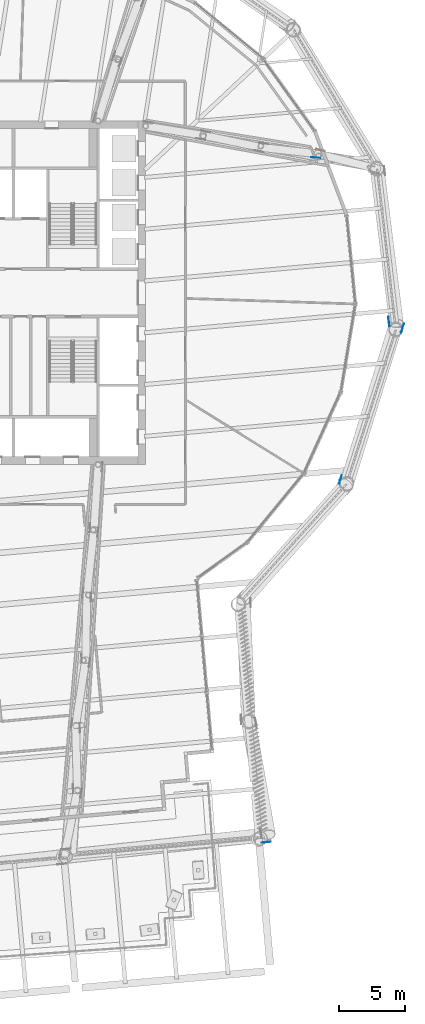
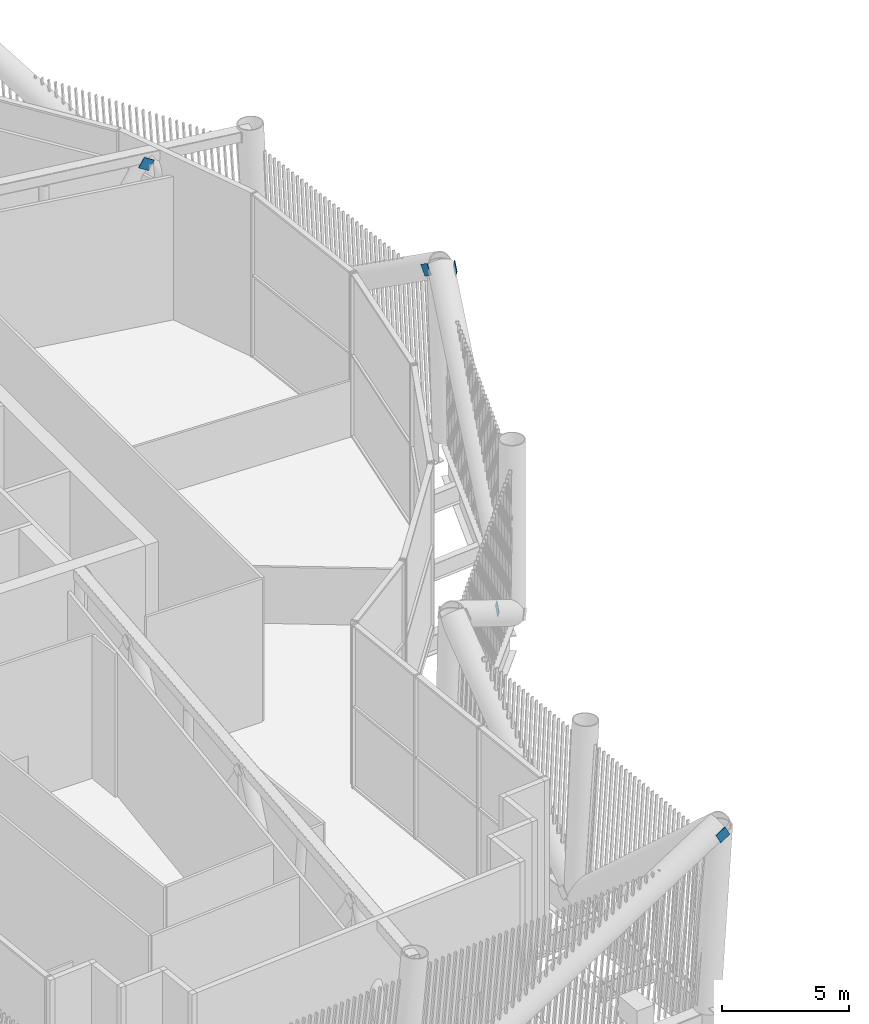
# One storey, part 40 of 55: 5 discrete accessories.
"""IFC4 building model written with IfcOpenShell, lengths in metres."""

from ifc_helpers import new_model, si_unit, direction, frame, origin, origin_2d, place, context, subcontext, project, spatial, rectangle, extrude, material, material_profile, profile_set, type_object, element, save


model = new_model("IFC4")

# Units and contexts
model_context = context("Model", 3, precision=1e-05, world=origin(), true_north=direction((0.0, 1.0)))
body_context = subcontext(model_context, "Body", "Model", "MODEL_VIEW")
ifc_project = project(units=[si_unit("LENGTHUNIT", "METRE"), si_unit("AREAUNIT", "SQUARE_METRE"), si_unit("VOLUMEUNIT", "CUBIC_METRE"), si_unit("PLANEANGLEUNIT", "RADIAN"), si_unit("MASSUNIT", "GRAM", prefix="KILO")], contexts=[model_context])

# Site, building, storey
site_placement = place(None, origin())
site = spatial("IfcSite", under=ifc_project, at=site_placement, CompositionType="ELEMENT")
building_placement = place(site_placement, origin())
building = spatial("IfcBuilding", under=site, at=building_placement, Name="Tarsis Ring Headquarters", CompositionType="ELEMENT")
storey_placement = place(building_placement, frame((0.0, 0.0, 247.199951171875)))
storey = spatial("IfcBuildingStorey", under=building, at=storey_placement, Name="L58", CompositionType="ELEMENT", Elevation=247.199951171875)

# Discrete accessories
ifc_material = material(Name="Structural steel S355", Category="steel")
ifc_material_profile = material_profile(ifc_material, rectangle(XDim=0.02490234375, YDim=0.5, at=origin_2d()), Name="PL 25x500")
ifc_profile_set = profile_set([ifc_material_profile], Name="Structural steel S355")
discrete_accessory_type_1 = type_object("IfcDiscreteAccessoryType", Name="Gusset plate Belt truss 25", PredefinedType="BRACKET", material=ifc_profile_set)
for number, where, z_axis, x_axis, name in (
    (1, (19.336669921875, -41.52099609375, 8.0), (-0.88416963025, -0.094715023892, -0.457463800963), (0.10651373759, -0.994311230805, 0.0), "Gusset plate GP4"),
    (2, (24.65869140625, -14.32177734375, 0.0), (0.25103196042, 0.808772230458, 0.531855651551), (-0.955052876893, 0.296435494398, 0.0), "Gusset plate GP4"),
    (3, (29.477783203125, -2.4736328125, 8.0), (-0.250932832737, -0.808941058065, -0.531645632006), (0.955103513988, -0.296272303072, 0.0), "Gusset plate GP4"),
    (4, (28.41455078125, -2.37939453125, 8.0), (-0.102064397058, 0.820421947646, -0.562575049814), (-0.992350405933, -0.123453115976, 0.0), "Gusset plate GP4"),
):
    element("IfcDiscreteAccessory", number, at=place(storey_placement, frame(where, z_axis=z_axis, x_axis=x_axis)), inside=storey, type_object=discrete_accessory_type_1, Name=name, PredefinedType="BRACKET", context=body_context, shape_type="SweptSolid", body=[
        extrude(rectangle(XDim=0.02490234375, YDim=0.5, at=origin_2d()), origin(), (0.0, 0.0, 1.0), 0.5),
    ])
discrete_accessory_type_2 = type_object("IfcDiscreteAccessoryType", Name="Gusset plate Outrigger 25", PredefinedType="BRACKET", material=ifc_profile_set)
discrete_accessory_placement = place(storey_placement, frame((22.97216796875, 10.18798828125, 7.5859375), z_axis=(-0.501496290603, 0.056155865063, -0.863335386354), x_axis=(-0.111281140239, -0.993788965438, 0.0)))
element("IfcDiscreteAccessory", 5, at=discrete_accessory_placement, inside=storey, type_object=discrete_accessory_type_2, Name="Gusset plate GP1", PredefinedType="BRACKET", context=body_context, shape_type="SweptSolid", body=[
    extrude(rectangle(XDim=0.02490234375, YDim=0.5, at=origin_2d()), origin(), (0.0, 0.0, 1.0), 0.5),
])

save(model, "model.ifc")
